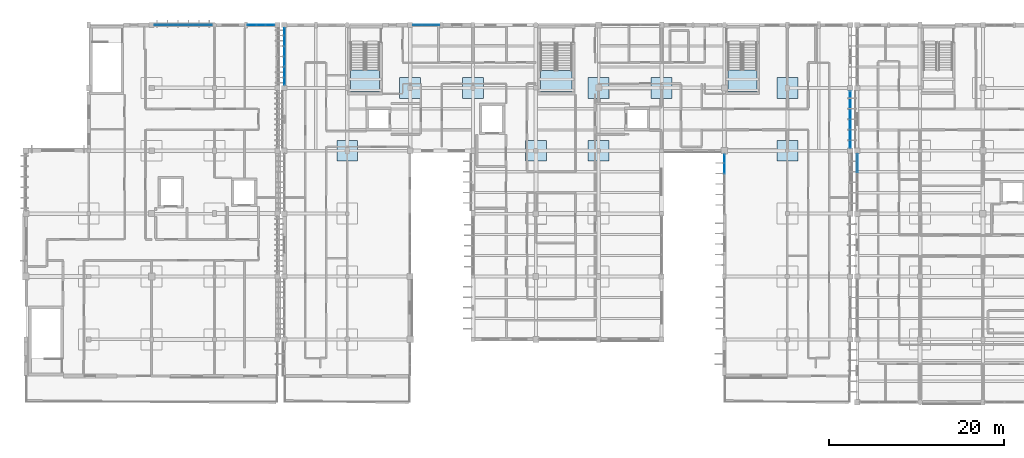
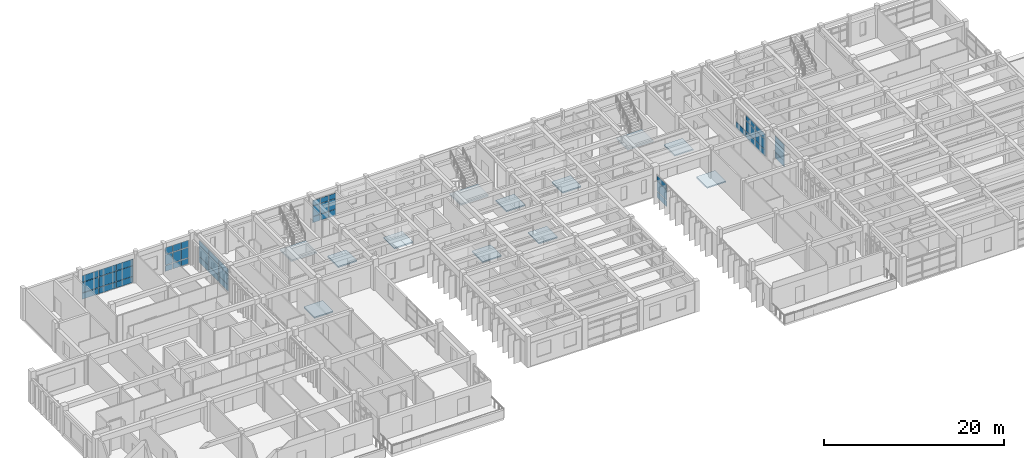
# One storey, part 29 of 55: 49 plates, 12 slabs, 10 elements without a shape of their own.
"""IFC4 building model written with IfcOpenShell, lengths in metres."""

from ifc_helpers import new_model, si_unit, direction, frame, origin, origin_2d, place, context, subcontext, project, spatial, polyline, rectangle, outline, extrude, material, layer, layer_set, type_object, element, aggregate, save


model = new_model("IFC4")

# Units and contexts
model_context = context("Model", 3, precision=1e-05, world=origin(), true_north=direction((0.0, 1.0)))
body_context = subcontext(model_context, "Body", "Model", "MODEL_VIEW")
ifc_project = project(units=[si_unit("LENGTHUNIT", "METRE"), si_unit("AREAUNIT", "SQUARE_METRE"), si_unit("VOLUMEUNIT", "CUBIC_METRE"), si_unit("PLANEANGLEUNIT", "RADIAN"), si_unit("MASSUNIT", "GRAM", prefix="KILO")], contexts=[model_context])

# Site, building, storey
site_placement = place(None, origin())
site = spatial("IfcSite", under=ifc_project, at=site_placement, CompositionType="ELEMENT")
building_placement = place(site_placement, origin())
building = spatial("IfcBuilding", under=site, at=building_placement, Name="Steenspoor Specialist Clinic", CompositionType="ELEMENT")
storey_placement = place(building_placement, frame((0.0, 0.0, 13.199951171875)))
storey = spatial("IfcBuildingStorey", under=building, at=storey_placement, Name="L03", CompositionType="ELEMENT", Elevation=13.199951171875)

# Curtain wall, plates
ifc_material_1 = material(Name="Thermally broken aluminium and low-emissivity glass", Category="aluminium")
curtain_wall_type_1 = type_object("IfcCurtainWallType", Name="CW-SCR-480X320", PredefinedType="USERDEFINED", material=ifc_material_1)
curtain_wall_1_placement = place(storey_placement, origin())
curtain_wall_1 = element("IfcCurtainWall", 1, at=curtain_wall_1_placement, inside=storey, type_object=curtain_wall_type_1, Name="Unitised Curtain Wall CW-V4-L03-114", ObjectType="UNITISED GLAZING", PredefinedType="USERDEFINED")
ifc_material_2 = material(Name="Double low-emissivity insulated glass", Category="glass")
ifc_layer_1 = layer(ifc_material_2, 0.035888671875)
ifc_layer_set_1 = layer_set([ifc_layer_1], Name="Double low-emissivity insulated glass")
plate_type_1 = type_object("IfcPlateType", Name="CW-PAN-GL36", PredefinedType="CURTAIN_PANEL", material=ifc_layer_set_1)
plate_1_placement = place(storey_placement, frame((102.800048828125, 92.4091796875, 0.09033203125), z_axis=(0.0, 0.0, 1.0), x_axis=(0.0, 1.0, 0.0)))
plate_1 = element("IfcPlate", 2, at=plate_1_placement, type_object=plate_type_1, Name="CW-18 panel 3.1", PredefinedType="CURTAIN_PANEL", context=body_context, shape_type="SweptSolid", body=[
    extrude(rectangle(XDim=2.171630859375, YDim=0.035888671875, at=origin_2d()), origin(), (0.0, 0.0, 1.0), 0.764892578125),
])
plate_2_placement = place(storey_placement, frame((102.800048828125, 92.4091796875, 0.94482421875), z_axis=(0.0, 0.0, 1.0), x_axis=(0.0, 1.0, 0.0)))
plate_2 = element("IfcPlate", 3, at=plate_2_placement, type_object=plate_type_1, Name="CW-18 panel 3.2", PredefinedType="CURTAIN_PANEL", context=body_context, shape_type="SweptSolid", body=[
    extrude(rectangle(XDim=2.171630859375, YDim=0.035888671875, at=origin_2d()), origin(), (0.0, 0.0, 1.0), 1.360107421875),
])
plate_3_placement = place(storey_placement, frame((102.800048828125, 92.4091796875, 2.39501953125), z_axis=(0.0, 0.0, 1.0), x_axis=(0.0, 1.0, 0.0)))
plate_3 = element("IfcPlate", 4, at=plate_3_placement, type_object=plate_type_1, Name="CW-18 panel 3.3", PredefinedType="CURTAIN_PANEL", context=body_context, shape_type="SweptSolid", body=[
    extrude(rectangle(XDim=2.171630859375, YDim=0.035888671875, at=origin_2d()), origin(), (0.0, 0.0, 1.0), 0.64501953125),
])
aggregate(curtain_wall_1, [plate_1, plate_2, plate_3])

curtain_wall_type_2 = type_object("IfcCurtainWallType", Name="CW-TYP-300X355", PredefinedType="USERDEFINED", material=ifc_material_1)
curtain_wall_2_placement = place(storey_placement, origin())
curtain_wall_2 = element("IfcCurtainWall", 5, at=curtain_wall_2_placement, inside=storey, type_object=curtain_wall_type_2, Name="Unitised Curtain Wall CW-V5-L03-159", ObjectType="UNITISED GLAZING", PredefinedType="USERDEFINED")
plate_4_placement = place(storey_placement, frame((48.7080078125, 108.35009765625, 0.09033203125), z_axis=(0.0, 0.0, 1.0), x_axis=(1.0, 0.0, 0.0)))
plate_4 = element("IfcPlate", 6, at=plate_4_placement, type_object=plate_type_1, Name="CW-15 panel 1.1", PredefinedType="CURTAIN_PANEL", context=body_context, shape_type="SweptSolid", body=[
    extrude(rectangle(XDim=0.94580078125, YDim=0.035888671875, at=origin_2d()), origin(), (0.0, 0.0, 1.0), 0.764892578125),
])
plate_5_placement = place(storey_placement, frame((48.7080078125, 108.35009765625, 0.94482421875), z_axis=(0.0, 0.0, 1.0), x_axis=(1.0, 0.0, 0.0)))
plate_5 = element("IfcPlate", 7, at=plate_5_placement, type_object=plate_type_1, Name="CW-15 panel 1.2", PredefinedType="CURTAIN_PANEL", context=body_context, shape_type="SweptSolid", body=[
    extrude(rectangle(XDim=0.94580078125, YDim=0.035888671875, at=origin_2d()), origin(), (0.0, 0.0, 1.0), 1.360107421875),
])
plate_6_placement = place(storey_placement, frame((48.7080078125, 108.35009765625, 2.39501953125), z_axis=(0.0, 0.0, 1.0), x_axis=(1.0, 0.0, 0.0)))
plate_6 = element("IfcPlate", 8, at=plate_6_placement, type_object=plate_type_1, Name="CW-15 panel 1.3", PredefinedType="CURTAIN_PANEL", context=body_context, shape_type="SweptSolid", body=[
    extrude(rectangle(XDim=0.94580078125, YDim=0.035888671875, at=origin_2d()), origin(), (0.0, 0.0, 1.0), 0.89501953125),
])
plate_7_placement = place(storey_placement, frame((49.735107421875, 108.35009765625, 0.09033203125), z_axis=(0.0, 0.0, 1.0), x_axis=(1.0, 0.0, 0.0)))
plate_7 = element("IfcPlate", 9, at=plate_7_placement, type_object=plate_type_1, Name="CW-15 panel 2.1", PredefinedType="CURTAIN_PANEL", context=body_context, shape_type="SweptSolid", body=[
    extrude(rectangle(XDim=0.978271484375, YDim=0.035888671875, at=origin_2d()), origin(), (0.0, 0.0, 1.0), 0.764892578125),
])
plate_8_placement = place(storey_placement, frame((49.735107421875, 108.35009765625, 0.94482421875), z_axis=(0.0, 0.0, 1.0), x_axis=(1.0, 0.0, 0.0)))
plate_8 = element("IfcPlate", 10, at=plate_8_placement, type_object=plate_type_1, Name="CW-15 panel 2.2", PredefinedType="CURTAIN_PANEL", context=body_context, shape_type="SweptSolid", body=[
    extrude(rectangle(XDim=0.978271484375, YDim=0.035888671875, at=origin_2d()), origin(), (0.0, 0.0, 1.0), 1.360107421875),
])
plate_9_placement = place(storey_placement, frame((49.735107421875, 108.35009765625, 2.39501953125), z_axis=(0.0, 0.0, 1.0), x_axis=(1.0, 0.0, 0.0)))
plate_9 = element("IfcPlate", 11, at=plate_9_placement, type_object=plate_type_1, Name="CW-15 panel 2.3", PredefinedType="CURTAIN_PANEL", context=body_context, shape_type="SweptSolid", body=[
    extrude(rectangle(XDim=0.978271484375, YDim=0.035888671875, at=origin_2d()), origin(), (0.0, 0.0, 1.0), 0.89501953125),
])
plate_10_placement = place(storey_placement, frame((50.761962890625, 108.35009765625, 0.09033203125), z_axis=(0.0, 0.0, 1.0), x_axis=(1.0, 0.0, 0.0)))
plate_10 = element("IfcPlate", 12, at=plate_10_placement, type_object=plate_type_1, Name="CW-15 panel 3.1", PredefinedType="CURTAIN_PANEL", context=body_context, shape_type="SweptSolid", body=[
    extrude(rectangle(XDim=0.94580078125, YDim=0.035888671875, at=origin_2d()), origin(), (0.0, 0.0, 1.0), 0.764892578125),
])
plate_11_placement = place(storey_placement, frame((50.761962890625, 108.35009765625, 0.94482421875), z_axis=(0.0, 0.0, 1.0), x_axis=(1.0, 0.0, 0.0)))
plate_11 = element("IfcPlate", 13, at=plate_11_placement, type_object=plate_type_1, Name="CW-15 panel 3.2", PredefinedType="CURTAIN_PANEL", context=body_context, shape_type="SweptSolid", body=[
    extrude(rectangle(XDim=0.94580078125, YDim=0.035888671875, at=origin_2d()), origin(), (0.0, 0.0, 1.0), 1.360107421875),
])
plate_12_placement = place(storey_placement, frame((50.761962890625, 108.35009765625, 2.39501953125), z_axis=(0.0, 0.0, 1.0), x_axis=(1.0, 0.0, 0.0)))
plate_12 = element("IfcPlate", 14, at=plate_12_placement, type_object=plate_type_1, Name="CW-15 panel 3.3", PredefinedType="CURTAIN_PANEL", context=body_context, shape_type="SweptSolid", body=[
    extrude(rectangle(XDim=0.94580078125, YDim=0.035888671875, at=origin_2d()), origin(), (0.0, 0.0, 1.0), 0.89501953125),
])
aggregate(curtain_wall_2, [plate_4, plate_5, plate_6, plate_7, plate_8, plate_9, plate_10, plate_11, plate_12])

curtain_wall_type_3 = type_object("IfcCurtainWallType", Name="CW-TYP-650X355", PredefinedType="USERDEFINED", material=ifc_material_1)
curtain_wall_3_placement = place(storey_placement, origin())
curtain_wall_3 = element("IfcCurtainWall", 15, at=curtain_wall_3_placement, inside=storey, type_object=curtain_wall_type_3, Name="Unitised Curtain Wall CW-V4-L03-106", ObjectType="UNITISED GLAZING", PredefinedType="USERDEFINED")
ifc_material_3 = material(Name="Triple acoustic laminated low-emissivity glass", Category="glass")
ifc_layer_2 = layer(ifc_material_3, 0.048095703125)
ifc_layer_set_2 = layer_set([ifc_layer_2], Name="Triple acoustic laminated low-emissivity glass")
plate_type_2 = type_object("IfcPlateType", Name="CW-PAN-GL48", PredefinedType="CURTAIN_PANEL", material=ifc_layer_set_2)
plate_13_placement = place(storey_placement, frame((52.39990234375, 102.56494140625, 0.070068359375), z_axis=(0.0, 0.0, 1.0), x_axis=(0.0, 1.0, 0.0)))
plate_13 = element("IfcPlate", 16, at=plate_13_placement, type_object=plate_type_2, Name="CW-10 panel 1.1", PredefinedType="CURTAIN_PANEL", context=body_context, shape_type="SweptSolid", body=[
    extrude(rectangle(XDim=2.110107421875, YDim=0.048095703125, at=origin_2d()), origin(), (0.0, 0.0, 1.0), 0.794921875),
])
plate_14_placement = place(storey_placement, frame((52.39990234375, 102.56494140625, 0.93505859375), z_axis=(0.0, 0.0, 1.0), x_axis=(0.0, 1.0, 0.0)))
plate_14 = element("IfcPlate", 17, at=plate_14_placement, type_object=plate_type_2, Name="CW-10 panel 1.2", PredefinedType="CURTAIN_PANEL", context=body_context, shape_type="SweptSolid", body=[
    extrude(rectangle(XDim=2.110107421875, YDim=0.048095703125, at=origin_2d()), origin(), (0.0, 0.0, 1.0), 1.3798828125),
])
plate_15_placement = place(storey_placement, frame((52.39990234375, 102.56494140625, 2.38525390625), z_axis=(0.0, 0.0, 1.0), x_axis=(0.0, 1.0, 0.0)))
plate_15 = element("IfcPlate", 18, at=plate_15_placement, type_object=plate_type_2, Name="CW-10 panel 1.3", PredefinedType="CURTAIN_PANEL", context=body_context, shape_type="SweptSolid", body=[
    extrude(rectangle(XDim=2.110107421875, YDim=0.048095703125, at=origin_2d()), origin(), (0.0, 0.0, 1.0), 0.675048828125),
])
plate_16_placement = place(storey_placement, frame((52.39990234375, 104.75, 0.070068359375), z_axis=(0.0, 0.0, 1.0), x_axis=(0.0, 1.0, 0.0)))
plate_16 = element("IfcPlate", 19, at=plate_16_placement, type_object=plate_type_2, Name="CW-10 panel 2.1", PredefinedType="CURTAIN_PANEL", context=body_context, shape_type="SweptSolid", body=[
    extrude(rectangle(XDim=2.139892578125, YDim=0.048095703125, at=origin_2d()), origin(), (0.0, 0.0, 1.0), 0.794921875),
])
plate_17_placement = place(storey_placement, frame((52.39990234375, 104.75, 0.93505859375), z_axis=(0.0, 0.0, 1.0), x_axis=(0.0, 1.0, 0.0)))
plate_17 = element("IfcPlate", 20, at=plate_17_placement, type_object=plate_type_2, Name="CW-10 panel 2.2", PredefinedType="CURTAIN_PANEL", context=body_context, shape_type="SweptSolid", body=[
    extrude(rectangle(XDim=2.139892578125, YDim=0.048095703125, at=origin_2d()), origin(), (0.0, 0.0, 1.0), 1.3798828125),
])
plate_18_placement = place(storey_placement, frame((52.39990234375, 104.75, 2.38525390625), z_axis=(0.0, 0.0, 1.0), x_axis=(0.0, 1.0, 0.0)))
plate_18 = element("IfcPlate", 21, at=plate_18_placement, type_object=plate_type_2, Name="CW-10 panel 2.3", PredefinedType="CURTAIN_PANEL", context=body_context, shape_type="SweptSolid", body=[
    extrude(rectangle(XDim=2.139892578125, YDim=0.048095703125, at=origin_2d()), origin(), (0.0, 0.0, 1.0), 0.675048828125),
])
plate_19_placement = place(storey_placement, frame((52.39990234375, 106.93505859375, 0.070068359375), z_axis=(0.0, 0.0, 1.0), x_axis=(0.0, 1.0, 0.0)))
plate_19 = element("IfcPlate", 22, at=plate_19_placement, type_object=plate_type_2, Name="CW-10 panel 3.1", PredefinedType="CURTAIN_PANEL", context=body_context, shape_type="SweptSolid", body=[
    extrude(rectangle(XDim=2.110107421875, YDim=0.048095703125, at=origin_2d()), origin(), (0.0, 0.0, 1.0), 0.794921875),
])
plate_20_placement = place(storey_placement, frame((52.39990234375, 106.93505859375, 0.93505859375), z_axis=(0.0, 0.0, 1.0), x_axis=(0.0, 1.0, 0.0)))
plate_20 = element("IfcPlate", 23, at=plate_20_placement, type_object=plate_type_2, Name="CW-10 panel 3.2", PredefinedType="CURTAIN_PANEL", context=body_context, shape_type="SweptSolid", body=[
    extrude(rectangle(XDim=2.110107421875, YDim=0.048095703125, at=origin_2d()), origin(), (0.0, 0.0, 1.0), 1.3798828125),
])
plate_21_placement = place(storey_placement, frame((52.39990234375, 106.93505859375, 2.38525390625), z_axis=(0.0, 0.0, 1.0), x_axis=(0.0, 1.0, 0.0)))
plate_21 = element("IfcPlate", 24, at=plate_21_placement, type_object=plate_type_2, Name="CW-10 panel 3.3", PredefinedType="CURTAIN_PANEL", context=body_context, shape_type="SweptSolid", body=[
    extrude(rectangle(XDim=2.110107421875, YDim=0.048095703125, at=origin_2d()), origin(), (0.0, 0.0, 1.0), 0.675048828125),
])
aggregate(curtain_wall_3, [plate_13, plate_14, plate_15, plate_16, plate_17, plate_18, plate_19, plate_20, plate_21])

curtain_wall_type_4 = type_object("IfcCurtainWallType", Name="CW-TYP-540X355", PredefinedType="USERDEFINED", material=ifc_material_1)
curtain_wall_4_placement = place(storey_placement, origin())
curtain_wall_4 = element("IfcCurtainWall", 25, at=curtain_wall_4_placement, inside=storey, type_object=curtain_wall_type_4, Name="Unitised Curtain Wall CW-V4-L03-107", ObjectType="UNITISED GLAZING", PredefinedType="USERDEFINED")
ifc_material_4 = material(Name="Insulated glazed ceramic spandrel panel", Category="glass")
ifc_layer_3 = layer(ifc_material_4, 0.074951171875)
ifc_layer_set_3 = layer_set([ifc_layer_3], Name="Insulated glazed ceramic spandrel panel")
plate_type_3 = type_object("IfcPlateType", Name="CW-PAN-SP75", PredefinedType="CURTAIN_PANEL", material=ifc_layer_set_3)
plate_22_placement = place(storey_placement, frame((67.626708984375, 108.35009765625, 0.06494140625), z_axis=(0.0, 0.0, 1.0), x_axis=(1.0, 0.0, 0.0)))
plate_22 = element("IfcPlate", 26, at=plate_22_placement, type_object=plate_type_3, Name="CW-11 panel 1.1", PredefinedType="CURTAIN_PANEL", context=body_context, shape_type="SweptSolid", body=[
    extrude(rectangle(XDim=0.92333984375, YDim=0.074951171875, at=origin_2d()), origin(), (0.0, 0.0, 1.0), 0.802490234375),
])
plate_23_placement = place(storey_placement, frame((67.626708984375, 108.35009765625, 0.9326171875), z_axis=(0.0, 0.0, 1.0), x_axis=(1.0, 0.0, 0.0)))
plate_23 = element("IfcPlate", 27, at=plate_23_placement, type_object=plate_type_3, Name="CW-11 panel 1.2", PredefinedType="CURTAIN_PANEL", context=body_context, shape_type="SweptSolid", body=[
    extrude(rectangle(XDim=0.92333984375, YDim=0.074951171875, at=origin_2d()), origin(), (0.0, 0.0, 1.0), 1.385009765625),
])
plate_24_placement = place(storey_placement, frame((67.626708984375, 108.35009765625, 2.382568359375), z_axis=(0.0, 0.0, 1.0), x_axis=(1.0, 0.0, 0.0)))
plate_24 = element("IfcPlate", 28, at=plate_24_placement, type_object=plate_type_3, Name="CW-11 panel 1.3", PredefinedType="CURTAIN_PANEL", context=body_context, shape_type="SweptSolid", body=[
    extrude(rectangle(XDim=0.92333984375, YDim=0.074951171875, at=origin_2d()), origin(), (0.0, 0.0, 1.0), 0.6826171875),
])
plate_25_placement = place(storey_placement, frame((68.66259765625, 108.35009765625, 0.06494140625), z_axis=(0.0, 0.0, 1.0), x_axis=(1.0, 0.0, 0.0)))
plate_25 = element("IfcPlate", 29, at=plate_25_placement, type_object=plate_type_3, Name="CW-11 panel 2.1", PredefinedType="CURTAIN_PANEL", context=body_context, shape_type="SweptSolid", body=[
    extrude(rectangle(XDim=0.96826171875, YDim=0.074951171875, at=origin_2d()), origin(), (0.0, 0.0, 1.0), 0.802490234375),
])
plate_26_placement = place(storey_placement, frame((68.66259765625, 108.35009765625, 0.9326171875), z_axis=(0.0, 0.0, 1.0), x_axis=(1.0, 0.0, 0.0)))
plate_26 = element("IfcPlate", 30, at=plate_26_placement, type_object=plate_type_3, Name="CW-11 panel 2.2", PredefinedType="CURTAIN_PANEL", context=body_context, shape_type="SweptSolid", body=[
    extrude(rectangle(XDim=0.96826171875, YDim=0.074951171875, at=origin_2d()), origin(), (0.0, 0.0, 1.0), 1.385009765625),
])
plate_27_placement = place(storey_placement, frame((68.66259765625, 108.35009765625, 2.382568359375), z_axis=(0.0, 0.0, 1.0), x_axis=(1.0, 0.0, 0.0)))
plate_27 = element("IfcPlate", 31, at=plate_27_placement, type_object=plate_type_3, Name="CW-11 panel 2.3", PredefinedType="CURTAIN_PANEL", context=body_context, shape_type="SweptSolid", body=[
    extrude(rectangle(XDim=0.96826171875, YDim=0.074951171875, at=origin_2d()), origin(), (0.0, 0.0, 1.0), 0.6826171875),
])
plate_28_placement = place(storey_placement, frame((69.6982421875, 108.35009765625, 0.06494140625), z_axis=(0.0, 0.0, 1.0), x_axis=(1.0, 0.0, 0.0)))
plate_28 = element("IfcPlate", 32, at=plate_28_placement, type_object=plate_type_3, Name="CW-11 panel 3.1", PredefinedType="CURTAIN_PANEL", context=body_context, shape_type="SweptSolid", body=[
    extrude(rectangle(XDim=0.92333984375, YDim=0.074951171875, at=origin_2d()), origin(), (0.0, 0.0, 1.0), 0.802490234375),
])
plate_29_placement = place(storey_placement, frame((69.6982421875, 108.35009765625, 0.9326171875), z_axis=(0.0, 0.0, 1.0), x_axis=(1.0, 0.0, 0.0)))
plate_29 = element("IfcPlate", 33, at=plate_29_placement, type_object=plate_type_3, Name="CW-11 panel 3.2", PredefinedType="CURTAIN_PANEL", context=body_context, shape_type="SweptSolid", body=[
    extrude(rectangle(XDim=0.92333984375, YDim=0.074951171875, at=origin_2d()), origin(), (0.0, 0.0, 1.0), 1.385009765625),
])
plate_30_placement = place(storey_placement, frame((69.6982421875, 108.35009765625, 2.382568359375), z_axis=(0.0, 0.0, 1.0), x_axis=(1.0, 0.0, 0.0)))
plate_30 = element("IfcPlate", 34, at=plate_30_placement, type_object=plate_type_3, Name="CW-11 panel 3.3", PredefinedType="CURTAIN_PANEL", context=body_context, shape_type="SweptSolid", body=[
    extrude(rectangle(XDim=0.92333984375, YDim=0.074951171875, at=origin_2d()), origin(), (0.0, 0.0, 1.0), 0.6826171875),
])
aggregate(curtain_wall_4, [plate_22, plate_23, plate_24, plate_25, plate_26, plate_27, plate_28, plate_29, plate_30])

curtain_wall_type_5 = type_object("IfcCurtainWallType", Name="CW-TYP-360X355", PredefinedType="USERDEFINED", material=ifc_material_1)
curtain_wall_5_placement = place(storey_placement, origin())
curtain_wall_5 = element("IfcCurtainWall", 35, at=curtain_wall_5_placement, inside=storey, type_object=curtain_wall_type_5, Name="Unitised Curtain Wall CW-V4-L03-110", ObjectType="UNITISED GLAZING", PredefinedType="USERDEFINED")
plate_31_placement = place(storey_placement, frame((117.199951171875, 99.732421875, 0.080078125), z_axis=(0.0, 0.0, 1.0), x_axis=(0.0, -1.0, 0.0)))
plate_31 = element("IfcPlate", 36, at=plate_31_placement, type_object=plate_type_3, Name="CW-14 panel 1.1", PredefinedType="CURTAIN_PANEL", context=body_context, shape_type="SweptSolid", body=[
    extrude(rectangle(XDim=2.094970703125, YDim=0.074951171875, at=origin_2d()), origin(), (0.0, 0.0, 1.0), 0.780029296875),
])
plate_32_placement = place(storey_placement, frame((117.199951171875, 97.550048828125, 0.080078125), z_axis=(0.0, 0.0, 1.0), x_axis=(0.0, -1.0, 0.0)))
plate_32 = element("IfcPlate", 37, at=plate_32_placement, type_object=plate_type_3, Name="CW-14 panel 2.1", PredefinedType="CURTAIN_PANEL", context=body_context, shape_type="SweptSolid", body=[
    extrude(rectangle(XDim=2.1298828125, YDim=0.074951171875, at=origin_2d()), origin(), (0.0, 0.0, 1.0), 0.780029296875),
])
plate_33_placement = place(storey_placement, frame((117.199951171875, 97.550048828125, 0.93994140625), z_axis=(0.0, 0.0, 1.0), x_axis=(0.0, -1.0, 0.0)))
plate_33 = element("IfcPlate", 38, at=plate_33_placement, type_object=plate_type_3, Name="CW-14 panel 2.2", PredefinedType="CURTAIN_PANEL", context=body_context, shape_type="SweptSolid", body=[
    extrude(rectangle(XDim=2.1298828125, YDim=0.074951171875, at=origin_2d()), origin(), (0.0, 0.0, 1.0), 1.3701171875),
])
plate_34_placement = place(storey_placement, frame((117.199951171875, 97.550048828125, 2.39013671875), z_axis=(0.0, 0.0, 1.0), x_axis=(0.0, -1.0, 0.0)))
plate_34 = element("IfcPlate", 39, at=plate_34_placement, type_object=plate_type_3, Name="CW-14 panel 2.3", PredefinedType="CURTAIN_PANEL", context=body_context, shape_type="SweptSolid", body=[
    extrude(rectangle(XDim=2.1298828125, YDim=0.074951171875, at=origin_2d()), origin(), (0.0, 0.0, 1.0), 0.659912109375),
])
plate_35_placement = place(storey_placement, frame((117.199951171875, 95.367431640625, 0.080078125), z_axis=(0.0, 0.0, 1.0), x_axis=(0.0, -1.0, 0.0)))
plate_35 = element("IfcPlate", 40, at=plate_35_placement, type_object=plate_type_3, Name="CW-14 panel 3.1", PredefinedType="CURTAIN_PANEL", context=body_context, shape_type="SweptSolid", body=[
    extrude(rectangle(XDim=2.094970703125, YDim=0.074951171875, at=origin_2d()), origin(), (0.0, 0.0, 1.0), 0.780029296875),
])
plate_36_placement = place(storey_placement, frame((117.199951171875, 95.367431640625, 0.93994140625), z_axis=(0.0, 0.0, 1.0), x_axis=(0.0, -1.0, 0.0)))
plate_36 = element("IfcPlate", 41, at=plate_36_placement, type_object=plate_type_3, Name="CW-14 panel 3.2", PredefinedType="CURTAIN_PANEL", context=body_context, shape_type="SweptSolid", body=[
    extrude(rectangle(XDim=2.094970703125, YDim=0.074951171875, at=origin_2d()), origin(), (0.0, 0.0, 1.0), 1.3701171875),
])
plate_37_placement = place(storey_placement, frame((117.199951171875, 95.367431640625, 2.39013671875), z_axis=(0.0, 0.0, 1.0), x_axis=(0.0, -1.0, 0.0)))
plate_37 = element("IfcPlate", 42, at=plate_37_placement, type_object=plate_type_3, Name="CW-14 panel 3.3", PredefinedType="CURTAIN_PANEL", context=body_context, shape_type="SweptSolid", body=[
    extrude(rectangle(XDim=2.094970703125, YDim=0.074951171875, at=origin_2d()), origin(), (0.0, 0.0, 1.0), 0.659912109375),
])
aggregate(curtain_wall_5, [plate_31, plate_32, plate_33, plate_34, plate_35, plate_36, plate_37])

curtain_wall_6_placement = place(storey_placement, origin())
curtain_wall_6 = element("IfcCurtainWall", 43, at=curtain_wall_6_placement, inside=storey, type_object=curtain_wall_type_5, Name="Unitised Curtain Wall CW-V5-L03-158", ObjectType="UNITISED GLAZING", PredefinedType="USERDEFINED")
plate_38_placement = place(storey_placement, frame((38.60498046875, 108.35009765625, 0.06005859375), z_axis=(0.0, 0.0, 1.0), x_axis=(1.0, 0.0, 0.0)))
plate_38 = element("IfcPlate", 44, at=plate_38_placement, type_object=plate_type_3, Name="CW-14 panel 1.1", PredefinedType="CURTAIN_PANEL", context=body_context, shape_type="SweptSolid", body=[
    extrude(rectangle(XDim=2.1201171875, YDim=0.074951171875, at=origin_2d()), origin(), (0.0, 0.0, 1.0), 0.81005859375),
])
plate_39_placement = place(storey_placement, frame((38.60498046875, 108.35009765625, 0.93017578125), z_axis=(0.0, 0.0, 1.0), x_axis=(1.0, 0.0, 0.0)))
plate_39 = element("IfcPlate", 45, at=plate_39_placement, type_object=plate_type_3, Name="CW-14 panel 1.2", PredefinedType="CURTAIN_PANEL", context=body_context, shape_type="SweptSolid", body=[
    extrude(rectangle(XDim=2.1201171875, YDim=0.074951171875, at=origin_2d()), origin(), (0.0, 0.0, 1.0), 1.389892578125),
])
plate_40_placement = place(storey_placement, frame((38.60498046875, 108.35009765625, 2.3798828125), z_axis=(0.0, 0.0, 1.0), x_axis=(1.0, 0.0, 0.0)))
plate_40 = element("IfcPlate", 46, at=plate_40_placement, type_object=plate_type_3, Name="CW-14 panel 1.3", PredefinedType="CURTAIN_PANEL", context=body_context, shape_type="SweptSolid", body=[
    extrude(rectangle(XDim=2.1201171875, YDim=0.074951171875, at=origin_2d()), origin(), (0.0, 0.0, 1.0), 0.860107421875),
])
plate_41_placement = place(storey_placement, frame((40.8125, 108.35009765625, 0.06005859375), z_axis=(0.0, 0.0, 1.0), x_axis=(1.0, 0.0, 0.0)))
plate_41 = element("IfcPlate", 47, at=plate_41_placement, type_object=plate_type_3, Name="CW-14 panel 2.1", PredefinedType="CURTAIN_PANEL", context=body_context, shape_type="SweptSolid", body=[
    extrude(rectangle(XDim=2.155029296875, YDim=0.074951171875, at=origin_2d()), origin(), (0.0, 0.0, 1.0), 0.81005859375),
])
plate_42_placement = place(storey_placement, frame((40.8125, 108.35009765625, 0.93017578125), z_axis=(0.0, 0.0, 1.0), x_axis=(1.0, 0.0, 0.0)))
plate_42 = element("IfcPlate", 48, at=plate_42_placement, type_object=plate_type_3, Name="CW-14 panel 2.2", PredefinedType="CURTAIN_PANEL", context=body_context, shape_type="SweptSolid", body=[
    extrude(rectangle(XDim=2.155029296875, YDim=0.074951171875, at=origin_2d()), origin(), (0.0, 0.0, 1.0), 1.389892578125),
])
plate_43_placement = place(storey_placement, frame((40.8125, 108.35009765625, 2.3798828125), z_axis=(0.0, 0.0, 1.0), x_axis=(1.0, 0.0, 0.0)))
plate_43 = element("IfcPlate", 49, at=plate_43_placement, type_object=plate_type_3, Name="CW-14 panel 2.3", PredefinedType="CURTAIN_PANEL", context=body_context, shape_type="SweptSolid", body=[
    extrude(rectangle(XDim=2.155029296875, YDim=0.074951171875, at=origin_2d()), origin(), (0.0, 0.0, 1.0), 0.860107421875),
])
plate_44_placement = place(storey_placement, frame((43.02001953125, 108.35009765625, 0.06005859375), z_axis=(0.0, 0.0, 1.0), x_axis=(1.0, 0.0, 0.0)))
plate_44 = element("IfcPlate", 50, at=plate_44_placement, type_object=plate_type_3, Name="CW-14 panel 3.1", PredefinedType="CURTAIN_PANEL", context=body_context, shape_type="SweptSolid", body=[
    extrude(rectangle(XDim=2.1201171875, YDim=0.074951171875, at=origin_2d()), origin(), (0.0, 0.0, 1.0), 0.81005859375),
])
plate_45_placement = place(storey_placement, frame((43.02001953125, 108.35009765625, 0.93017578125), z_axis=(0.0, 0.0, 1.0), x_axis=(1.0, 0.0, 0.0)))
plate_45 = element("IfcPlate", 51, at=plate_45_placement, type_object=plate_type_3, Name="CW-14 panel 3.2", PredefinedType="CURTAIN_PANEL", context=body_context, shape_type="SweptSolid", body=[
    extrude(rectangle(XDim=2.1201171875, YDim=0.074951171875, at=origin_2d()), origin(), (0.0, 0.0, 1.0), 1.389892578125),
])
plate_46_placement = place(storey_placement, frame((43.02001953125, 108.35009765625, 2.3798828125), z_axis=(0.0, 0.0, 1.0), x_axis=(1.0, 0.0, 0.0)))
plate_46 = element("IfcPlate", 52, at=plate_46_placement, type_object=plate_type_3, Name="CW-14 panel 3.3", PredefinedType="CURTAIN_PANEL", context=body_context, shape_type="SweptSolid", body=[
    extrude(rectangle(XDim=2.1201171875, YDim=0.074951171875, at=origin_2d()), origin(), (0.0, 0.0, 1.0), 0.860107421875),
])
aggregate(curtain_wall_6, [plate_38, plate_39, plate_40, plate_41, plate_42, plate_43, plate_44, plate_45, plate_46])

curtain_wall_type_6 = type_object("IfcCurtainWallType", Name="CW-L00-650X415", PredefinedType="USERDEFINED", material=ifc_material_1)
curtain_wall_7_placement = place(storey_placement, origin())
curtain_wall_7 = element("IfcCurtainWall", 53, at=curtain_wall_7_placement, inside=storey, type_object=curtain_wall_type_6, Name="Unitised Curtain Wall CW-V6-L03-197", ObjectType="UNITISED GLAZING", PredefinedType="USERDEFINED")
plate_47_placement = place(storey_placement, frame((118.0, 92.527587890625, 0.06494140625), z_axis=(0.0, 0.0, 1.0), x_axis=(0.0, 1.0, 0.0)))
plate_47 = element("IfcPlate", 54, at=plate_47_placement, type_object=plate_type_3, Name="CW-05 panel 3.1", PredefinedType="CURTAIN_PANEL", context=body_context, shape_type="SweptSolid", body=[
    extrude(rectangle(XDim=2.06494140625, YDim=0.074951171875, at=origin_2d()), origin(), (0.0, 0.0, 1.0), 0.802490234375),
])
plate_48_placement = place(storey_placement, frame((118.0, 92.527587890625, 0.9326171875), z_axis=(0.0, 0.0, 1.0), x_axis=(0.0, 1.0, 0.0)))
plate_48 = element("IfcPlate", 55, at=plate_48_placement, type_object=plate_type_3, Name="CW-05 panel 3.2", PredefinedType="CURTAIN_PANEL", context=body_context, shape_type="SweptSolid", body=[
    extrude(rectangle(XDim=2.06494140625, YDim=0.074951171875, at=origin_2d()), origin(), (0.0, 0.0, 1.0), 1.385009765625),
])
plate_49_placement = place(storey_placement, frame((118.0, 92.527587890625, 2.382568359375), z_axis=(0.0, 0.0, 1.0), x_axis=(0.0, 1.0, 0.0)))
plate_49 = element("IfcPlate", 56, at=plate_49_placement, type_object=plate_type_3, Name="CW-05 panel 3.3", PredefinedType="CURTAIN_PANEL", context=body_context, shape_type="SweptSolid", body=[
    extrude(rectangle(XDim=2.06494140625, YDim=0.074951171875, at=origin_2d()), origin(), (0.0, 0.0, 1.0), 0.6826171875),
])
aggregate(curtain_wall_7, [plate_47, plate_48, plate_49])

# Slabs
ifc_material_5 = material(Name="Concrete C35/45", Category="concrete")
ifc_layer_4 = layer(ifc_material_5, 0.169921875)
ifc_layer_set_4 = layer_set([ifc_layer_4], Name="Concrete C35/45")
slab_type_1 = type_object("IfcSlabType", Name="SL-DROP-170", PredefinedType="USERDEFINED", material=ifc_layer_set_4)
slab_1_placement = place(storey_placement, frame((0.0, 0.0, -0.419921875)))
element("IfcSlab", 57, at=slab_1_placement, inside=storey, type_object=slab_type_1, Name="Column Drop Panel DROP-V4-L03-058", ObjectType="DROP PANEL", PredefinedType="USERDEFINED", context=body_context, shape_type="SweptSolid", body=[
    extrude(outline(polyline([(60.800048828125, 92.75), (60.800048828125, 95.14990234375), (58.39990234375, 95.14990234375), (58.39990234375, 92.75), (60.800048828125, 92.75)])), origin(), (0.0, 0.0, 1.0), 0.169921875),
])
slab_2_placement = place(storey_placement, frame((0.0, 0.0, -0.419921875)))
element("IfcSlab", 58, at=slab_2_placement, inside=storey, type_object=slab_type_1, Name="Column Drop Panel DROP-V4-L03-059", ObjectType="DROP PANEL", PredefinedType="USERDEFINED", context=body_context, shape_type="SweptSolid", body=[
    extrude(outline(polyline([(68.0, 99.949951171875), (68.0, 102.35009765625), (65.60009765625, 102.35009765625), (65.60009765625, 99.949951171875), (68.0, 99.949951171875)])), origin(), (0.0, 0.0, 1.0), 0.169921875),
])
slab_3_placement = place(storey_placement, frame((0.0, 0.0, -0.419921875)))
element("IfcSlab", 59, at=slab_3_placement, inside=storey, type_object=slab_type_1, Name="Column Drop Panel DROP-V4-L03-060", ObjectType="DROP PANEL", PredefinedType="USERDEFINED", context=body_context, shape_type="SweptSolid", body=[
    extrude(outline(polyline([(75.199951171875, 99.949951171875), (75.199951171875, 102.35009765625), (72.800048828125, 102.35009765625), (72.800048828125, 99.949951171875), (75.199951171875, 99.949951171875)])), origin(), (0.0, 0.0, 1.0), 0.169921875),
])
slab_4_placement = place(storey_placement, frame((0.0, 0.0, -0.419921875)))
element("IfcSlab", 60, at=slab_4_placement, inside=storey, type_object=slab_type_1, Name="Column Drop Panel DROP-V4-L03-063", ObjectType="DROP PANEL", PredefinedType="USERDEFINED", context=body_context, shape_type="SweptSolid", body=[
    extrude(outline(polyline([(82.39990234375, 92.75), (82.39990234375, 95.14990234375), (80.0, 95.14990234375), (80.0, 92.75), (82.39990234375, 92.75)])), origin(), (0.0, 0.0, 1.0), 0.169921875),
])
slab_5_placement = place(storey_placement, frame((0.0, 0.0, -0.419921875)))
element("IfcSlab", 61, at=slab_5_placement, inside=storey, type_object=slab_type_1, Name="Column Drop Panel DROP-V4-L03-066", ObjectType="DROP PANEL", PredefinedType="USERDEFINED", context=body_context, shape_type="SweptSolid", body=[
    extrude(outline(polyline([(89.60009765625, 92.75), (89.60009765625, 95.14990234375), (87.199951171875, 95.14990234375), (87.199951171875, 92.75), (89.60009765625, 92.75)])), origin(), (0.0, 0.0, 1.0), 0.169921875),
])
slab_6_placement = place(storey_placement, frame((0.0, 0.0, -0.419921875)))
element("IfcSlab", 62, at=slab_6_placement, inside=storey, type_object=slab_type_1, Name="Column Drop Panel DROP-V4-L03-067", ObjectType="DROP PANEL", PredefinedType="USERDEFINED", context=body_context, shape_type="SweptSolid", body=[
    extrude(outline(polyline([(89.60009765625, 99.949951171875), (89.60009765625, 102.35009765625), (87.199951171875, 102.35009765625), (87.199951171875, 99.949951171875), (89.60009765625, 99.949951171875)])), origin(), (0.0, 0.0, 1.0), 0.169921875),
])
slab_7_placement = place(storey_placement, frame((0.0, 0.0, -0.419921875)))
element("IfcSlab", 63, at=slab_7_placement, inside=storey, type_object=slab_type_1, Name="Column Drop Panel DROP-V4-L03-068", ObjectType="DROP PANEL", PredefinedType="USERDEFINED", context=body_context, shape_type="SweptSolid", body=[
    extrude(outline(polyline([(96.800048828125, 99.949951171875), (96.800048828125, 102.35009765625), (94.39990234375, 102.35009765625), (94.39990234375, 99.949951171875), (96.800048828125, 99.949951171875)])), origin(), (0.0, 0.0, 1.0), 0.169921875),
])
slab_8_placement = place(storey_placement, frame((0.0, 0.0, -0.419921875)))
element("IfcSlab", 64, at=slab_8_placement, inside=storey, type_object=slab_type_1, Name="Column Drop Panel DROP-V4-L03-072", ObjectType="DROP PANEL", PredefinedType="USERDEFINED", context=body_context, shape_type="SweptSolid", body=[
    extrude(outline(polyline([(111.199951171875, 92.75), (111.199951171875, 95.14990234375), (108.800048828125, 95.14990234375), (108.800048828125, 92.75), (111.199951171875, 92.75)])), origin(), (0.0, 0.0, 1.0), 0.169921875),
])
slab_9_placement = place(storey_placement, frame((0.0, 0.0, -0.419921875)))
element("IfcSlab", 65, at=slab_9_placement, inside=storey, type_object=slab_type_1, Name="Column Drop Panel DROP-V4-L03-073", ObjectType="DROP PANEL", PredefinedType="USERDEFINED", context=body_context, shape_type="SweptSolid", body=[
    extrude(outline(polyline([(111.199951171875, 99.949951171875), (111.199951171875, 102.35009765625), (108.800048828125, 102.35009765625), (108.800048828125, 99.949951171875), (111.199951171875, 99.949951171875)])), origin(), (0.0, 0.0, 1.0), 0.169921875),
])

# Stair, slab
stair_type_1 = type_object("IfcStairType", Name="ST-CORE-TYP", PredefinedType="HALF_TURN_STAIR", material=ifc_material_5)
stair_1_placement = place(storey_placement, origin())
stair_1 = element("IfcStair", 66, at=stair_1_placement, inside=storey, type_object=stair_type_1, Name="L03 Enclosed Exit Stair ST-V4A", PredefinedType="HALF_TURN_STAIR")
ifc_layer_5 = layer(ifc_material_5, 0.199951171875)
ifc_layer_set_5 = layer_set([ifc_layer_5], Name="Concrete C35/45")
slab_type_2 = type_object("IfcSlabType", Name="SL-LAND-200", PredefinedType="LANDING", material=ifc_layer_set_5)
slab_10_placement = place(storey_placement, frame((0.0, 0.0, 1.900146484375)))
slab_10 = element("IfcSlab", 67, at=slab_10_placement, type_object=slab_type_2, Name="ST-V4A landing 1", PredefinedType="LANDING", context=body_context, shape_type="SweptSolid", body=[
    extrude(outline(polyline([(60.0, 103.215087890625), (60.0, 100.699951171875), (63.300048828125, 100.699951171875), (63.300048828125, 103.215087890625), (60.0, 103.215087890625)])), origin(), (0.0, 0.0, 1.0), 0.199951171875),
])
aggregate(stair_1, [slab_10])

stair_2_placement = place(storey_placement, origin())
stair_2 = element("IfcStair", 68, at=stair_2_placement, inside=storey, type_object=stair_type_1, Name="L03 Enclosed Exit Stair ST-V4B", PredefinedType="HALF_TURN_STAIR")
slab_11_placement = place(storey_placement, frame((0.0, 0.0, 1.900146484375)))
slab_11 = element("IfcSlab", 69, at=slab_11_placement, type_object=slab_type_2, Name="ST-V4B landing 1", PredefinedType="LANDING", context=body_context, shape_type="SweptSolid", body=[
    extrude(outline(polyline([(103.199951171875, 103.215087890625), (103.199951171875, 100.699951171875), (106.5, 100.699951171875), (106.5, 103.215087890625), (103.199951171875, 103.215087890625)])), origin(), (0.0, 0.0, 1.0), 0.199951171875),
])
aggregate(stair_2, [slab_11])

stair_type_2 = type_object("IfcStairType", Name="ST-CORE-WD", PredefinedType="HALF_TURN_STAIR", material=ifc_material_5)
stair_3_placement = place(storey_placement, origin())
stair_3 = element("IfcStair", 70, at=stair_3_placement, inside=storey, type_object=stair_type_2, Name="L03 Enclosed Exit Stair ST-V4C", PredefinedType="HALF_TURN_STAIR")
slab_12_placement = place(storey_placement, frame((0.0, 0.0, 1.900146484375)))
slab_12 = element("IfcSlab", 71, at=slab_12_placement, type_object=slab_type_2, Name="ST-V4C landing 1", PredefinedType="LANDING", context=body_context, shape_type="SweptSolid", body=[
    extrude(outline(polyline([(81.75, 103.14501953125), (81.75, 100.699951171875), (85.35009765625, 100.699951171875), (85.35009765625, 103.14501953125), (81.75, 103.14501953125)])), origin(), (0.0, 0.0, 1.0), 0.199951171875),
])
aggregate(stair_3, [slab_12])

save(model, "model.ifc")
